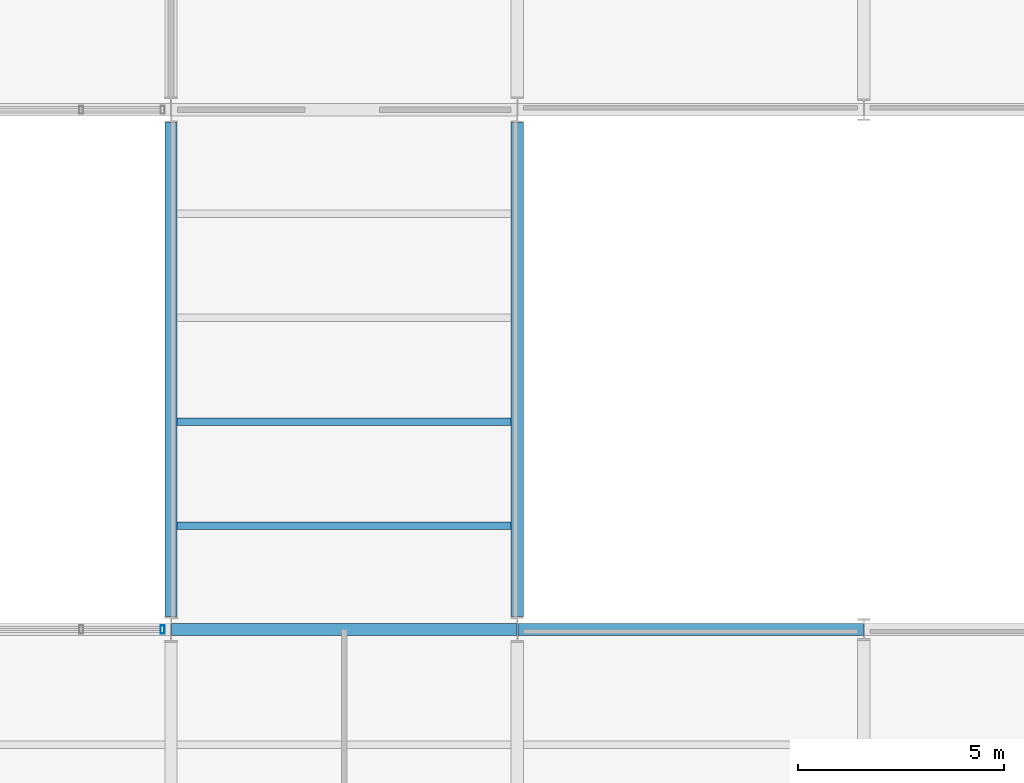
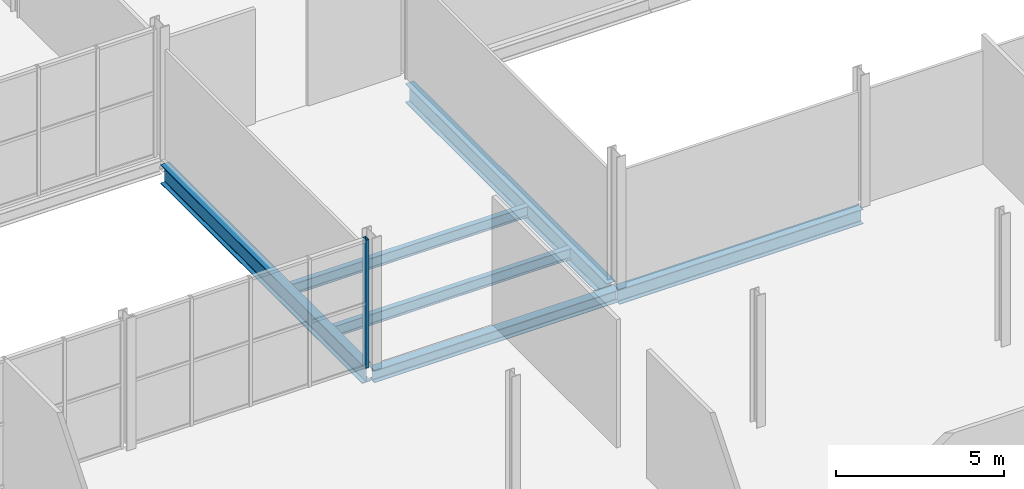
# One storey, part 12 of 57: 6 beams, 1 member, 1 element without a shape of its own.
"""IFC4 building model written with IfcOpenShell, lengths in metres."""

from ifc_helpers import new_model, si_unit, direction, frame, origin, origin_2d, place, context, subcontext, project, spatial, hollow_rectangle, i_section, extrude, material, layer, layer_set, material_profile, profile_set, type_object, element, aggregate, save


model = new_model("IFC4")

# Units and contexts
model_context = context("Model", 3, precision=1e-05, world=origin(), true_north=direction((0.0, 1.0)))
body_context = subcontext(model_context, "Body", "Model", "MODEL_VIEW")
ifc_project = project(units=[si_unit("LENGTHUNIT", "METRE"), si_unit("AREAUNIT", "SQUARE_METRE"), si_unit("VOLUMEUNIT", "CUBIC_METRE"), si_unit("PLANEANGLEUNIT", "RADIAN"), si_unit("MASSUNIT", "GRAM", prefix="KILO")], contexts=[model_context])

# Site, building, storey
site_placement = place(None, origin())
site = spatial("IfcSite", under=ifc_project, at=site_placement, CompositionType="ELEMENT")
building_placement = place(site_placement, origin())
building = spatial("IfcBuilding", under=site, at=building_placement, Name="Galleria Vessillo Department Store", CompositionType="ELEMENT")
storey_placement = place(building_placement, frame((0.0, 0.0, 21.0)))
storey = spatial("IfcBuildingStorey", under=building, at=storey_placement, Name="L04", CompositionType="ELEMENT", Elevation=21.0)

# Beams
ifc_material_1 = material(Name="Steel S355 J2", Category="steel")
ifc_material_profile_1 = material_profile(ifc_material_1, i_section(OverallWidth=0.300048828125, OverallDepth=0.43994140625, WebThickness=0.011474609375, FlangeThickness=0.02099609375, FilletRadius=0.027099609375, at=origin_2d()), Name="HEA 450")
ifc_profile_set_1 = profile_set([ifc_material_profile_1], Name="Steel S355 J2")
beam_type_1 = type_object("IfcBeamType", Name="Bridge girder HEA 450", PredefinedType="BEAM", material=ifc_profile_set_1)
beam_1_placement = place(storey_placement, frame((33.610595703125, 25.199951171875, -0.369873046875), z_axis=(1.0, 0.0, 0.0), x_axis=(0.0, 1.0, 0.0)))
element("IfcBeam", 1, at=beam_1_placement, inside=storey, type_object=beam_type_1, Name="S-BM-L04-BR-x25200-33611", PredefinedType="BEAM", context=body_context, shape_type="SweptSolid", body=[
    extrude(i_section(OverallWidth=0.300048828125, OverallDepth=0.43994140625, WebThickness=0.011474609375, FlangeThickness=0.02099609375, FilletRadius=0.027099609375, at=origin_2d()), origin(), (0.0, 0.0, 1.0), 8.378662109375),
])
ifc_material_2 = material(Name="Steel S355 J2", Category="steel")
ifc_material_profile_2 = material_profile(ifc_material_2, i_section(OverallWidth=0.300048828125, OverallDepth=0.68994140625, WebThickness=0.014404296875, FlangeThickness=0.027099609375, FilletRadius=0.027099609375, at=origin_2d()), Name="HEA 700")
ifc_profile_set_2 = profile_set([ifc_material_profile_2], Name="Steel S355 J2")
beam_type_2 = type_object("IfcBeamType", Name="Bridge girder HEA 700", PredefinedType="BEAM", material=ifc_profile_set_2)
for number, where, z_axis, x_axis, name in (
    (2, (33.60009765625, 25.51025390625, -0.494873046875), (0.0, 1.0, 0.0), (-1.0, 0.0, 0.0), "S-BM-L04-BR-y33600-25510"),
    (3, (42.0, 25.51025390625, -0.494873046875), (0.0, 1.0, 0.0), (-1.0, 0.0, 0.0), "S-BM-L04-BR-y42000-25510"),
):
    element("IfcBeam", number, at=place(storey_placement, frame(where, z_axis=z_axis, x_axis=x_axis)), inside=storey, type_object=beam_type_2, Name=name, PredefinedType="BEAM", context=body_context, shape_type="SweptSolid", body=[
        extrude(i_section(OverallWidth=0.300048828125, OverallDepth=0.68994140625, WebThickness=0.014404296875, FlangeThickness=0.027099609375, FilletRadius=0.027099609375, at=origin_2d()), origin(), (0.0, 0.0, 1.0), 11.9794921875),
    ])
ifc_material_3 = material(Name="Steel S355 J2", Category="steel")
ifc_material_profile_3 = material_profile(ifc_material_3, i_section(OverallWidth=0.179931640625, OverallDepth=0.39990234375, WebThickness=0.008544921875, FlangeThickness=0.013427734375, FilletRadius=0.02099609375, at=origin_2d()), Name="IPE 400")
ifc_profile_set_3 = profile_set([ifc_material_profile_3], Name="Steel S355 J2")
beam_type_3 = type_object("IfcBeamType", Name="Floor joist IPE 400", PredefinedType="JOIST", material=ifc_profile_set_3)
for number, where, z_axis, x_axis, name in (
    (4, (33.750244140625, 27.719970703125, -0.349853515625), (1.0, 0.0, 0.0), (0.0, 1.0, 0.0), "S-BM-L04-JO-x27720-33750"),
    (5, (33.750244140625, 30.239990234375, -0.349853515625), (1.0, 0.0, 0.0), (0.0, 1.0, 0.0), "S-BM-L04-JO-x30240-33750"),
):
    element("IfcBeam", number, at=place(storey_placement, frame(where, z_axis=z_axis, x_axis=x_axis)), inside=storey, type_object=beam_type_3, Name=name, PredefinedType="JOIST", context=body_context, shape_type="SweptSolid", body=[
        extrude(i_section(OverallWidth=0.179931640625, OverallDepth=0.39990234375, WebThickness=0.008544921875, FlangeThickness=0.013427734375, FilletRadius=0.02099609375, at=origin_2d()), origin(), (0.0, 0.0, 1.0), 8.099609375),
    ])

# Curtain wall, member
ifc_material_4 = material(Name="Steel and fire-resisting glass curtain wall", Category="steel")
ifc_layer = layer(ifc_material_4, 0.199951171875)
ifc_layer_set = layer_set([ifc_layer], Name="Steel and fire-resisting glass curtain wall")
curtain_wall_type = type_object("IfcCurtainWallType", Name="Arcade fire-resisting glazed shopfront EI 120-Sa", PredefinedType="NOTDEFINED", material=ifc_layer_set)
curtain_wall_placement = place(storey_placement, origin())
curtain_wall = element("IfcCurtainWall", 6, at=curtain_wall_placement, inside=storey, type_object=curtain_wall_type, Name="Arcade fire-resisting glazed shopfront EI 120-Sa AI-AW-S-L04-02", PredefinedType="NOTDEFINED")
ifc_material_5 = material(Name="Steel S355 J2", Category="steel")
ifc_material_profile_4 = material_profile(ifc_material_5, hollow_rectangle(XDim=0.199951171875, YDim=0.10009765625, WallThickness=0.008056640625, at=origin_2d()), Name="RHS 200x100x8")
ifc_profile_set_4 = profile_set([ifc_material_profile_4], Name="Steel S355 J2")
member_type = type_object("IfcMemberType", Name="Steel mullion RHS 200x100x8", PredefinedType="MULLION", material=ifc_profile_set_4)
member_placement = place(storey_placement, frame((33.3974609375, 25.199951171875, 0.0), z_axis=(0.0, 0.0, 1.0), x_axis=(0.0, 1.0, 0.0)))
member = element("IfcMember", 7, at=member_placement, type_object=member_type, Name="CW7 mullion 5", PredefinedType="MULLION", context=body_context, shape_type="SweptSolid", body=[
    extrude(hollow_rectangle(XDim=0.199951171875, YDim=0.10009765625, WallThickness=0.008056640625, at=origin_2d()), origin(), (0.0, 0.0, 1.0), 4.650146484375),
])
aggregate(curtain_wall, [member])

# Beam
ifc_material_6 = material(Name="Steel S355 J2", Category="steel")
ifc_material_profile_5 = material_profile(ifc_material_6, i_section(OverallWidth=0.300048828125, OverallDepth=0.5400390625, WebThickness=0.012451171875, FlangeThickness=0.02392578125, FilletRadius=0.027099609375, at=origin_2d()), Name="HEA 550")
ifc_profile_set_5 = profile_set([ifc_material_profile_5], Name="Steel S355 J2")
beam_type_4 = type_object("IfcBeamType", Name="Trimmer beam HEA 550", PredefinedType="BEAM", material=ifc_profile_set_5)
beam_2_placement = place(storey_placement, frame((42.0107421875, 25.199951171875, -0.419921875), z_axis=(1.0, 0.0, 0.0), x_axis=(0.0, 1.0, 0.0)))
element("IfcBeam", 8, at=beam_2_placement, inside=storey, type_object=beam_type_4, Name="S-BM-L04-TR-x25200-42011", PredefinedType="BEAM", context=body_context, shape_type="SweptSolid", body=[
    extrude(i_section(OverallWidth=0.300048828125, OverallDepth=0.5400390625, WebThickness=0.012451171875, FlangeThickness=0.02392578125, FilletRadius=0.027099609375, at=origin_2d()), origin(), (0.0, 0.0, 1.0), 8.378662109375),
])

save(model, "model.ifc")
